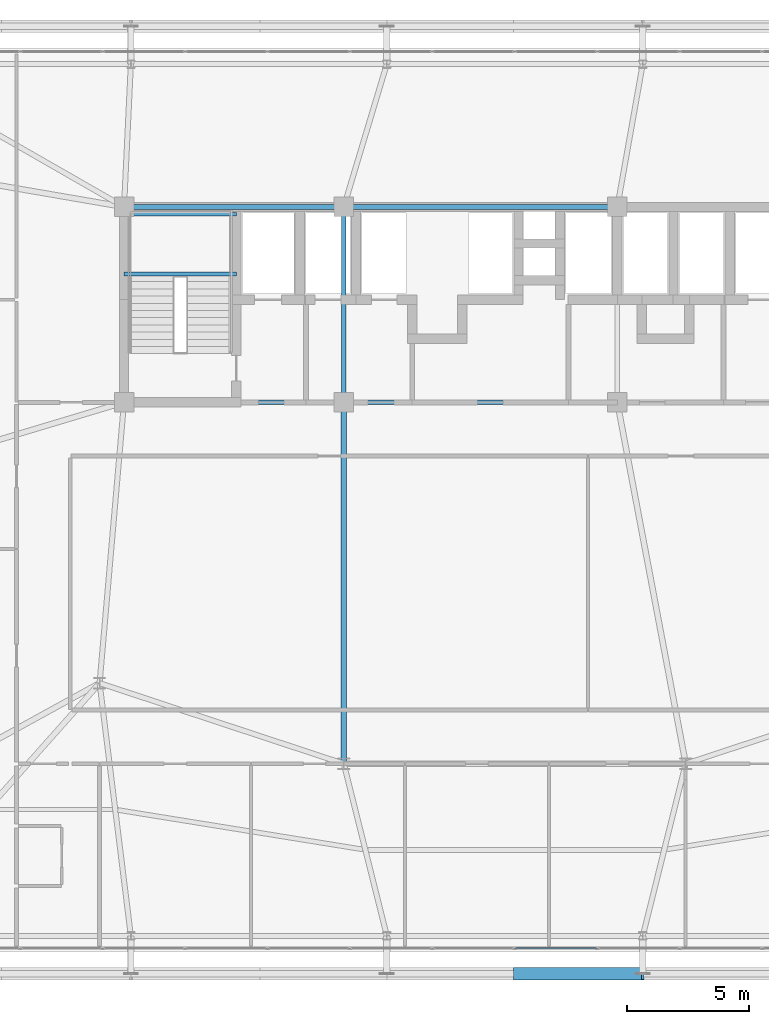
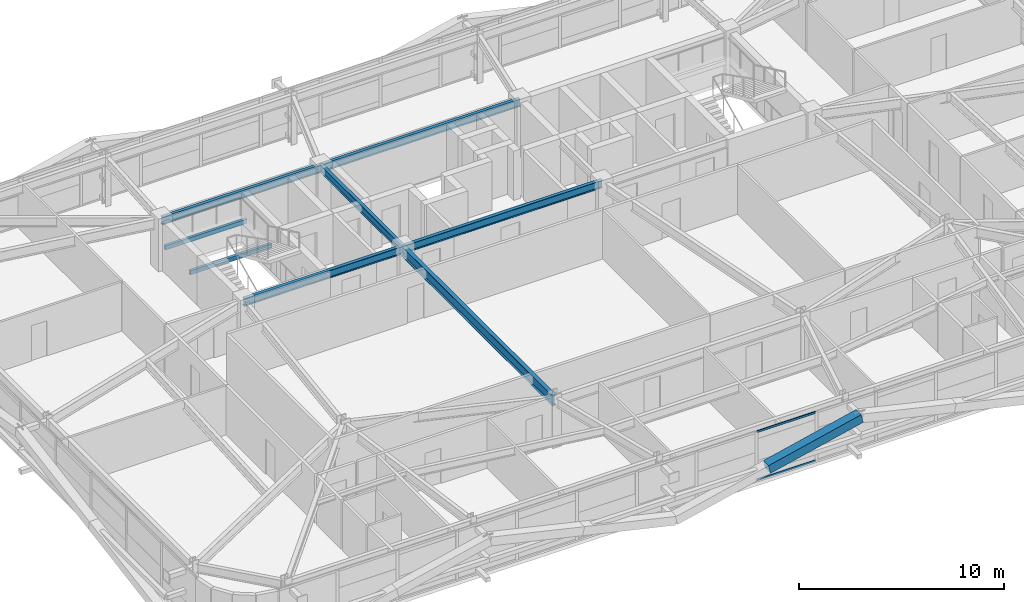
# One storey, part 19 of 58: 8 beams, 3 members, 1 element without a shape of its own.
"""IFC4 building model written with IfcOpenShell, lengths in metres."""

from ifc_helpers import new_model, si_unit, direction, frame, origin, origin_2d, place, context, subcontext, project, spatial, hollow_rectangle, i_section, extrude, source, transform, mapped, material, layer, layer_set, material_profile, profile_set, type_object, element, aggregate, save


model = new_model("IFC4")

# Units and contexts
model_context = context("Model", 3, precision=1e-05, world=origin(), true_north=direction((0.0, 1.0)))
body_context = subcontext(model_context, "Body", "Model", "MODEL_VIEW")
ifc_project = project(units=[si_unit("LENGTHUNIT", "METRE"), si_unit("AREAUNIT", "SQUARE_METRE"), si_unit("VOLUMEUNIT", "CUBIC_METRE"), si_unit("PLANEANGLEUNIT", "RADIAN"), si_unit("MASSUNIT", "GRAM", prefix="KILO")], contexts=[model_context])

# Site, building, storey
site_placement = place(None, origin())
site = spatial("IfcSite", under=ifc_project, at=site_placement, CompositionType="ELEMENT")
building_placement = place(site_placement, origin())
building = spatial("IfcBuilding", under=site, at=building_placement, Name="Taldren Reach Tower", CompositionType="ELEMENT")
storey_placement = place(building_placement, frame((0.0, 0.0, 54.60009765625)))
storey = spatial("IfcBuildingStorey", under=building, at=storey_placement, Name="L16", CompositionType="ELEMENT", Elevation=54.60009765625)

# Beams
ifc_material_1 = material(Name="Steel Gr 350 (350PLUS)", Category="steel")
ifc_material_profile_1 = material_profile(ifc_material_1, i_section(OverallWidth=0.19091796875, OverallDepth=0.4599609375, WebThickness=0.010009765625, FlangeThickness=0.01611328125, at=origin_2d()), Name="460UB82.1")
ifc_profile_set_1 = profile_set([ifc_material_profile_1], Name="Steel Gr 350 (350PLUS)")
beam_type_1 = type_object("IfcBeamType", Name="BM-UB460A", PredefinedType="BEAM", material=ifc_profile_set_1)
shared_shape_1 = source(origin(), body_context, "Body", "SweptSolid", [
    extrude(i_section(OverallWidth=0.19091796875, OverallDepth=0.4599609375, WebThickness=0.010009765625, FlangeThickness=0.01611328125, at=origin_2d()), origin(), (0.0, 0.0, 1.0), 9.0),
])
for number, where, z_axis, x_axis, name in (
    (1, (19.0, 24.0, 2.699951171875), (1.0, 0.0, 0.0), (0.0, 1.0, 0.0), "Core-spine girder L16-SP01"),
    (2, (19.0, 32.0, 2.699951171875), (1.0, 0.0, 0.0), (0.0, 1.0, 0.0), "Core-spine girder L16-SP04"),
):
    element("IfcBeam", number, at=place(storey_placement, frame(where, z_axis=z_axis, x_axis=x_axis)), inside=storey, type_object=beam_type_1, Name=name, PredefinedType="BEAM", context=body_context, shape_type="MappedRepresentation", body=[
        mapped(shared_shape_1, transform((0.0, 0.0, 0.0), scale=1.0)),
    ])
shared_shape_2 = source(origin(), body_context, "Body", "SweptSolid", [
    extrude(i_section(OverallWidth=0.19091796875, OverallDepth=0.4599609375, WebThickness=0.010009765625, FlangeThickness=0.01611328125, at=origin_2d()), origin(), (0.0, 0.0, 1.0), 11.199951171875),
])
for number, where, z_axis, x_axis, name in (
    (3, (28.0, 24.0, 2.699951171875), (1.0, 0.0, 0.0), (0.0, 1.0, 0.0), "Core-spine girder L16-SP02"),
    (4, (28.0, 32.0, 2.699951171875), (1.0, 0.0, 0.0), (0.0, 1.0, 0.0), "Core-spine girder L16-SP05"),
):
    element("IfcBeam", number, at=place(storey_placement, frame(where, z_axis=z_axis, x_axis=x_axis)), inside=storey, type_object=beam_type_1, Name=name, PredefinedType="BEAM", context=body_context, shape_type="MappedRepresentation", body=[
        mapped(shared_shape_2, transform((0.0, 0.0, 0.0), scale=1.0)),
    ])
shared_shape_3 = source(origin(), body_context, "Body", "SweptSolid", [
    extrude(i_section(OverallWidth=0.19091796875, OverallDepth=0.4599609375, WebThickness=0.010009765625, FlangeThickness=0.01611328125, at=origin_2d()), origin(), (0.0, 0.0, 1.0), 8.0),
])
beam_1_placement = place(storey_placement, frame((28.0, 24.0, 2.699951171875), z_axis=(0.0, 1.0, 0.0), x_axis=(-1.0, 0.0, 0.0)))
element("IfcBeam", 5, at=beam_1_placement, inside=storey, type_object=beam_type_1, Name="Core-spine girder L16-SP07", PredefinedType="BEAM", context=body_context, shape_type="MappedRepresentation", body=[
    mapped(shared_shape_3, transform((0.0, 0.0, 0.0), scale=1.0)),
])
ifc_material_profile_2 = material_profile(ifc_material_1, i_section(OverallWidth=0.22802734375, OverallDepth=0.60205078125, WebThickness=0.010498046875, FlangeThickness=0.014892578125, at=origin_2d()), Name="610UB101")
ifc_profile_set_2 = profile_set([ifc_material_profile_2], Name="Steel Gr 350 (350PLUS)")
beam_type_2 = type_object("IfcBeamType", Name="BM-UB610B", PredefinedType="BEAM", material=ifc_profile_set_2)
shared_shape_4 = source(origin(), body_context, "Body", "SweptSolid", [
    extrude(i_section(OverallWidth=0.22802734375, OverallDepth=0.60205078125, WebThickness=0.010498046875, FlangeThickness=0.014892578125, at=origin_2d()), origin(), (0.0, 0.0, 1.0), 14.800048828125),
])
beam_2_placement = place(storey_placement, frame((28.0, 24.0, 2.62890625), z_axis=(0.0, -1.0, 0.0), x_axis=(1.0, 0.0, 0.0)))
element("IfcBeam", 6, at=beam_2_placement, inside=storey, type_object=beam_type_2, Name="Core-spine girder L16-SP14", PredefinedType="BEAM", context=body_context, shape_type="MappedRepresentation", body=[
    mapped(shared_shape_4, transform((0.0, 0.0, 0.0), scale=1.0)),
])

# Member
ifc_material_2 = material(Name="Steel Gr 450 (C450L0)", Category="steel")
ifc_material_profile_3 = material_profile(ifc_material_2, hollow_rectangle(XDim=0.510009765625, YDim=0.510009765625, WallThickness=0.02001953125, at=origin_2d()), Name="510x510x20.0SHS")
ifc_profile_set_3 = profile_set([ifc_material_profile_3], Name="Steel Gr 450 (C450L0)")
member_type_1 = type_object("IfcMemberType", Name="MB-EXO508", PredefinedType="BRACE", material=ifc_profile_set_3)
shared_shape_5 = source(origin(), body_context, "Body", "SweptSolid", [
    extrude(hollow_rectangle(XDim=0.510009765625, YDim=0.510009765625, WallThickness=0.02001953125, at=origin_2d()), origin(), (0.0, 0.0, 1.0), 5.37890625),
])
member_1_placement = place(storey_placement, frame((35.0, 0.60009765625, 1.434814453125), z_axis=(0.97415197996, 0.0, 0.225893603143), x_axis=(0.0, 1.0, 0.0)))
element("IfcMember", 7, at=member_1_placement, inside=storey, type_object=member_type_1, Name="Exoskeleton Diagrid Brace B1-S3 L16", PredefinedType="BRACE", context=body_context, shape_type="MappedRepresentation", body=[
    mapped(shared_shape_5, transform((0.0, 0.0, 0.0), scale=1.0)),
])

# Curtain wall, members
ifc_material_3 = material(Name="Aluminium and Low-E Glass Unitised System", Category="aluminium")
ifc_layer = layer(ifc_material_3, 0.159912109375)
ifc_layer_set = layer_set([ifc_layer], Name="Aluminium and Low-E Glass Unitised System")
curtain_wall_type = type_object("IfcCurtainWallType", Name="CW-SYS-2", PredefinedType="NOTDEFINED", material=ifc_layer_set)
curtain_wall_placement = place(storey_placement, origin())
curtain_wall = element("IfcCurtainWall", 8, at=curtain_wall_placement, inside=storey, type_object=curtain_wall_type, Name="Unitised curtain wall CW-L16-S", PredefinedType="NOTDEFINED")
ifc_material_4 = material(Name="Anodised Aluminium 6063-T6", Category="aluminium")
ifc_material_profile_4 = material_profile(ifc_material_4, hollow_rectangle(XDim=0.054931640625, YDim=0.1201171875, WallThickness=0.0029296875, at=origin_2d()), Name="ALU-120x55x3RHS")
ifc_profile_set_4 = profile_set([ifc_material_profile_4], Name="Anodised Aluminium 6063-T6")
member_type_2 = type_object("IfcMemberType", Name="CW-TRN-135", PredefinedType="USERDEFINED", material=ifc_profile_set_4)
shared_shape_6 = source(origin(), body_context, "Body", "SweptSolid", [
    extrude(hollow_rectangle(XDim=0.054931640625, YDim=0.1201171875, WallThickness=0.0029296875, at=origin_2d()), origin(), (0.0, 0.0, 1.0), 3.31005859375),
])
member_2_placement = place(storey_placement, frame((35.032470703125, 1.639892578125, 0.02734375), z_axis=(1.0, 0.0, 0.0), x_axis=(0.0, 1.0, 0.0)))
member_2 = element("IfcMember", 9, at=member_2_placement, type_object=member_type_2, Name="CW-2 transom 9.1", ObjectType="TRANSOM", PredefinedType="USERDEFINED", context=body_context, shape_type="MappedRepresentation", body=[
    mapped(shared_shape_6, transform((0.0, 0.0, 0.0), scale=1.0)),
])
member_3_placement = place(storey_placement, frame((35.032470703125, 1.639892578125, 2.90234375), z_axis=(1.0, 0.0, 0.0), x_axis=(0.0, 1.0, 0.0)))
member_3 = element("IfcMember", 10, at=member_3_placement, type_object=member_type_2, Name="CW-2 transom 9.2", ObjectType="TRANSOM", PredefinedType="USERDEFINED", context=body_context, shape_type="MappedRepresentation", body=[
    mapped(shared_shape_6, transform((0.0, 0.0, 0.0), scale=1.0)),
])
aggregate(curtain_wall, [member_2, member_3])

# Beams
ifc_material_5 = material(Name="Steel Gr 350 (C350L0)", Category="steel")
ifc_material_profile_5 = material_profile(ifc_material_5, hollow_rectangle(XDim=0.14990234375, YDim=0.25, WallThickness=0.009033203125, at=origin_2d()), Name="250x150x9.0RHS")
ifc_profile_set_5 = profile_set([ifc_material_profile_5], Name="Steel Gr 350 (C350L0)")
beam_type_3 = type_object("IfcBeamType", Name="LN-RHS250", PredefinedType="LINTEL", material=ifc_profile_set_5)
shared_shape_7 = source(origin(), body_context, "Body", "SweptSolid", [
    extrude(hollow_rectangle(XDim=0.14990234375, YDim=0.25, WallThickness=0.009033203125, at=origin_2d()), origin(), (0.0, 0.0, 1.0), 4.60009765625),
])
for number, where, z_axis, x_axis, name in (
    (11, (19.0, 29.2548828125, 1.27001953125), (1.0, 0.0, 0.0), (0.0, 1.0, 0.0), "Stair half-landing support beam ST1-L16-1"),
    (12, (19.0, 31.699951171875, 1.27001953125), (1.0, 0.0, 0.0), (0.0, 1.0, 0.0), "Stair half-landing support beam ST1-L16-2"),
):
    element("IfcBeam", number, at=place(storey_placement, frame(where, z_axis=z_axis, x_axis=x_axis)), inside=storey, type_object=beam_type_3, Name=name, PredefinedType="LINTEL", context=body_context, shape_type="MappedRepresentation", body=[
        mapped(shared_shape_7, transform((0.0, 0.0, 0.0), scale=1.0)),
    ])

save(model, "model.ifc")
